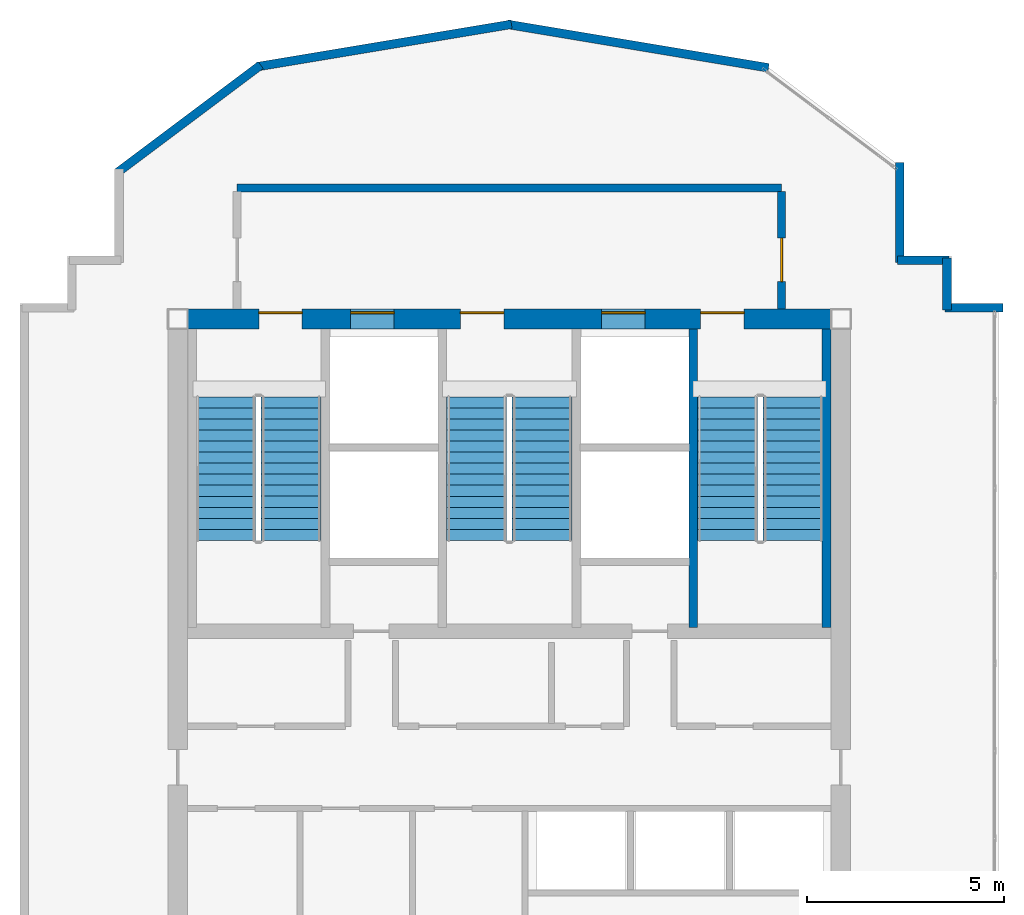
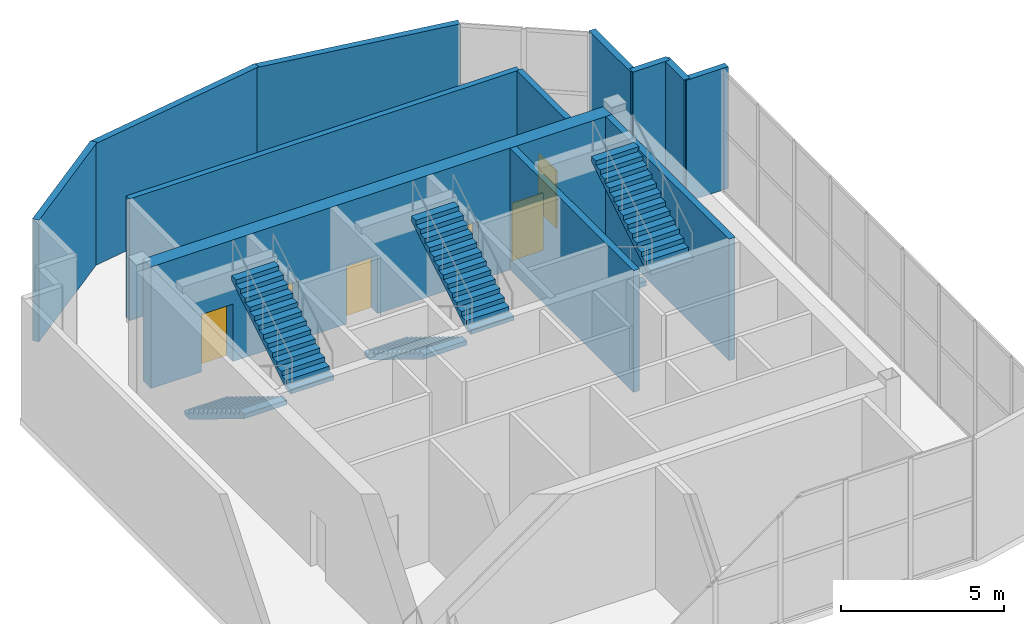
# One storey, part 8 of 9: 12 walls, 6 doors, 6 stair flights, 6 openings, 3 elements without a shape of their own.
"""IFC4 building model written with IfcOpenShell, lengths in metres."""

from ifc_helpers import new_model, si_unit, direction, frame, frame_2d, origin, place, context, subcontext, project, spatial, polyline, rectangle, outline, extrude, material, layer, layer_set, type_object, element, fill, aggregate, save


model = new_model("IFC4")

# Units and contexts
model_context = context("Model", 3, precision=1e-05, world=origin(), true_north=direction((0.0, 1.0)))
body_context = subcontext(model_context, "Body", "Model", "MODEL_VIEW")
ifc_project = project(units=[si_unit("LENGTHUNIT", "METRE"), si_unit("AREAUNIT", "SQUARE_METRE"), si_unit("VOLUMEUNIT", "CUBIC_METRE"), si_unit("PLANEANGLEUNIT", "RADIAN"), si_unit("MASSUNIT", "GRAM", prefix="KILO")], contexts=[model_context])

# Site, building, storey
site_placement = place(None, origin())
site = spatial("IfcSite", under=ifc_project, at=site_placement, CompositionType="ELEMENT")
building_placement = place(site_placement, origin())
building = spatial("IfcBuilding", under=site, at=building_placement, Name="Haolan Belvedere Tower", CompositionType="ELEMENT")
storey_placement = place(building_placement, frame((0.0, 0.0, 328.199951171875)))
storey = spatial("IfcBuildingStorey", under=building, at=storey_placement, Name="L82", CompositionType="ELEMENT", Elevation=328.199951171875)

# Wall, openings, doors
ifc_material_1 = material(Name="Concrete C50/60", Category="concrete")
ifc_layer_1 = layer(ifc_material_1, 0.5, Name="Concrete C50/60")
ifc_layer_set_1 = layer_set([ifc_layer_1], Name="Concrete C50/60")
wall_type_1 = type_object("IfcWallType", Name="WL-CORE-500", PredefinedType="SHEAR", material=ifc_layer_set_1)
wall_1_placement = place(storey_placement, frame((30.260009765625, 43.199951171875, 0.0), z_axis=(0.0, 0.0, 1.0), x_axis=(1.0, 0.0, 0.0)))
wall_1 = element("IfcWall", 1, at=wall_1_placement, inside=storey, type_object=wall_type_1, Name="L82 central core north shear wall", PredefinedType="SHEAR", context=body_context, shape_type="SweptSolid", body=[
    extrude(rectangle(XDim=16.280029296875, YDim=0.5, at=frame_2d((8.14013671875, 0.0))), origin(), (0.0, 0.0, 1.0), 4.550048828125),
])
opening_1_placement = place(wall_1_placement, frame((1.7900390625, 0.0, 0.0)))
opening_1 = element("IfcOpeningElement", 2, at=opening_1_placement, cuts=wall_1, Name="Opening FD-03", PredefinedType="OPENING", context=body_context, shape_type="SweptSolid", body=[
    extrude(rectangle(XDim=1.10009765625, YDim=2.14990234375, at=frame_2d((0.550048828125, 1.074951171875))), frame((0.0, 0.260009765625, 0.0), z_axis=(0.0, -1.0, 0.0), x_axis=(1.0, 0.0, 0.0)), (0.0, 0.0, 1.0), 0.52001953125),
])
opening_2_placement = place(wall_1_placement, frame((6.89990234375, 0.0, 0.0)))
opening_2 = element("IfcOpeningElement", 3, at=opening_2_placement, cuts=wall_1, Name="Opening FD-03", PredefinedType="OPENING", context=body_context, shape_type="SweptSolid", body=[
    extrude(rectangle(XDim=1.10009765625, YDim=2.14990234375, at=frame_2d((0.550048828125, 1.074951171875))), frame((0.0, 0.260009765625, 0.0), z_axis=(0.0, -1.0, 0.0), x_axis=(1.0, 0.0, 0.0)), (0.0, 0.0, 1.0), 0.52001953125),
])
opening_3_placement = place(wall_1_placement, frame((12.989990234375, 0.0, 0.0)))
opening_3 = element("IfcOpeningElement", 4, at=opening_3_placement, cuts=wall_1, Name="Opening FD-03", PredefinedType="OPENING", context=body_context, shape_type="SweptSolid", body=[
    extrude(rectangle(XDim=1.10009765625, YDim=2.14990234375, at=frame_2d((0.550048828125, 1.074951171875))), frame((0.0, 0.260009765625, 0.0), z_axis=(0.0, -1.0, 0.0), x_axis=(1.0, 0.0, 0.0)), (0.0, 0.0, 1.0), 0.52001953125),
])
opening_4_placement = place(wall_1_placement, frame((4.1201171875, 0.0, 0.0)))
opening_4 = element("IfcOpeningElement", 5, at=opening_4_placement, cuts=wall_1, Name="Opening LD-01", PredefinedType="OPENING", context=body_context, shape_type="SweptSolid", body=[
    extrude(rectangle(XDim=1.10009765625, YDim=2.199951171875, at=frame_2d((0.550048828125, 1.10009765625))), frame((0.0, 0.260009765625, 0.0), z_axis=(0.0, -1.0, 0.0), x_axis=(1.0, 0.0, 0.0)), (0.0, 0.0, 1.0), 0.52001953125),
])
opening_5_placement = place(wall_1_placement, frame((10.47998046875, 0.0, 0.0)))
opening_5 = element("IfcOpeningElement", 6, at=opening_5_placement, cuts=wall_1, Name="Opening LD-01", PredefinedType="OPENING", context=body_context, shape_type="SweptSolid", body=[
    extrude(rectangle(XDim=1.10009765625, YDim=2.199951171875, at=frame_2d((0.550048828125, 1.10009765625))), frame((0.0, 0.260009765625, 0.0), z_axis=(0.0, -1.0, 0.0), x_axis=(1.0, 0.0, 0.0)), (0.0, 0.0, 1.0), 0.52001953125),
])
ifc_material_2 = material(Name="Galvanised fire-rated steel", Category="steel")
door_type_1 = type_object("IfcDoorType", Name="DR-FD90-1100", OperationType="NOTDEFINED", PredefinedType="DOOR", material=ifc_material_2)
door_1_placement = place(opening_1_placement, origin())
door_1 = element("IfcDoor", 7, at=door_1_placement, inside=storey, type_object=door_type_1, Name="L82 door CD-L82-ST1", OperationType="SINGLE_SWING_LEFT", OverallHeight=2.14990234375, OverallWidth=1.10009765625, PredefinedType="DOOR", context=body_context, shape_type="SweptSolid", body=[
    extrude(rectangle(XDim=1.10009765625, YDim=2.14990234375, at=frame_2d((0.550048828125, 1.074951171875))), frame((0.0, 0.18505859375, 0.0), z_axis=(0.0, -1.0, 0.0), x_axis=(1.0, 0.0, 0.0)), (0.0, 0.0, 1.0), 0.050048828125),
])
fill(opening_1, door_1)
door_2_placement = place(opening_2_placement, origin())
door_2 = element("IfcDoor", 8, at=door_2_placement, inside=storey, type_object=door_type_1, Name="L82 door CD-L82-ST3", OperationType="SINGLE_SWING_LEFT", OverallHeight=2.14990234375, OverallWidth=1.10009765625, PredefinedType="DOOR", context=body_context, shape_type="SweptSolid", body=[
    extrude(rectangle(XDim=1.10009765625, YDim=2.14990234375, at=frame_2d((0.550048828125, 1.074951171875))), frame((0.0, 0.18505859375, 0.0), z_axis=(0.0, -1.0, 0.0), x_axis=(1.0, 0.0, 0.0)), (0.0, 0.0, 1.0), 0.050048828125),
])
fill(opening_2, door_2)
door_3_placement = place(opening_3_placement, origin())
door_3 = element("IfcDoor", 9, at=door_3_placement, inside=storey, type_object=door_type_1, Name="L82 door CD-L82-ST2", OperationType="SINGLE_SWING_RIGHT", OverallHeight=2.14990234375, OverallWidth=1.10009765625, PredefinedType="DOOR", context=body_context, shape_type="SweptSolid", body=[
    extrude(rectangle(XDim=1.10009765625, YDim=2.14990234375, at=frame_2d((0.550048828125, 1.074951171875))), frame((0.0, 0.18505859375, 0.0), z_axis=(0.0, -1.0, 0.0), x_axis=(1.0, 0.0, 0.0)), (0.0, 0.0, 1.0), 0.050048828125),
])
fill(opening_3, door_3)
ifc_material_3 = material(Name="Brushed champagne stainless steel 316L", Category="steel")
door_type_2 = type_object("IfcDoorType", Name="DR-LIFT-1100", OperationType="SLIDING_TO_LEFT", PredefinedType="DOOR", material=ifc_material_3)
door_4_placement = place(opening_4_placement, origin())
door_4 = element("IfcDoor", 10, at=door_4_placement, inside=storey, type_object=door_type_2, Name="L82 door LD-L82-FF1", OperationType="SLIDING_TO_LEFT", OverallHeight=2.199951171875, OverallWidth=1.10009765625, PredefinedType="DOOR", context=body_context, shape_type="SweptSolid", body=[
    extrude(rectangle(XDim=1.10009765625, YDim=2.199951171875, at=frame_2d((0.550048828125, 1.10009765625))), frame((0.0, 0.18505859375, 0.0), z_axis=(0.0, -1.0, 0.0), x_axis=(1.0, 0.0, 0.0)), (0.0, 0.0, 1.0), 0.050048828125),
])
fill(opening_4, door_4)
door_5_placement = place(opening_5_placement, origin())
door_5 = element("IfcDoor", 11, at=door_5_placement, inside=storey, type_object=door_type_2, Name="L82 door LD-L82-FF2", OperationType="SLIDING_TO_LEFT", OverallHeight=2.199951171875, OverallWidth=1.10009765625, PredefinedType="DOOR", context=body_context, shape_type="SweptSolid", body=[
    extrude(rectangle(XDim=1.10009765625, YDim=2.199951171875, at=frame_2d((0.550048828125, 1.10009765625))), frame((0.0, 0.18505859375, 0.0), z_axis=(0.0, -1.0, 0.0), x_axis=(1.0, 0.0, 0.0)), (0.0, 0.0, 1.0), 0.050048828125),
])
fill(opening_5, door_5)

# Walls
ifc_material_4 = material(Name="Precast concrete C40/50", Category="concrete")
ifc_layer_2 = layer(ifc_material_4, 0.219970703125, Name="Precast concrete C40/50")
ifc_layer_set_2 = layer_set([ifc_layer_2], Name="Precast concrete C40/50")
wall_type_2 = type_object("IfcWallType", Name="WL-EXT-220", PredefinedType="SOLIDWALL", material=ifc_layer_set_2)
wall_2_placement = place(storey_placement, frame((50.9150390625, 43.489990234375, 0.0), z_axis=(0.0, 0.0, 1.0), x_axis=(-1.0, 0.0, 0.0)))
element("IfcWall", 12, at=wall_2_placement, inside=storey, type_object=wall_type_2, Name="L82 pale-metal exterior spandrel wall 5.1", PredefinedType="SOLIDWALL", context=body_context, shape_type="SweptSolid", body=[
    extrude(rectangle(XDim=1.47998046875, YDim=0.219970703125, at=frame_2d((0.739990234375, 0.0))), origin(), (0.0, 0.0, 1.0), 4.550048828125),
])
wall_3_placement = place(storey_placement, frame((49.489990234375, 43.43505859375, 0.0), z_axis=(0.0, 0.0, 1.0), x_axis=(0.0, 1.0, 0.0)))
element("IfcWall", 13, at=wall_3_placement, inside=storey, type_object=wall_type_2, Name="L82 pale-metal exterior spandrel wall 6.1", PredefinedType="SOLIDWALL", context=body_context, shape_type="SweptSolid", body=[
    extrude(rectangle(XDim=1.31005859375, YDim=0.219970703125, at=frame_2d((0.655029296875, 0.0))), origin(), (0.0, 0.0, 1.0), 4.550048828125),
])
wall_4_placement = place(storey_placement, frame((49.544921875, 44.68994140625, 0.0), z_axis=(0.0, 0.0, 1.0), x_axis=(-1.0, 0.0, 0.0)))
element("IfcWall", 14, at=wall_4_placement, inside=storey, type_object=wall_type_2, Name="L82 pale-metal exterior spandrel wall 7.1", PredefinedType="SOLIDWALL", context=body_context, shape_type="SweptSolid", body=[
    extrude(rectangle(XDim=1.309814453125, YDim=0.219970703125, at=frame_2d((0.65478515625, 0.0))), origin(), (0.0, 0.0, 1.0), 4.550048828125),
])
wall_5_placement = place(storey_placement, frame((48.2900390625, 44.635009765625, 0.0), z_axis=(0.0, 0.0, 1.0), x_axis=(0.0, 1.0, 0.0)))
element("IfcWall", 15, at=wall_5_placement, inside=storey, type_object=wall_type_2, Name="L82 pale-metal exterior spandrel wall 8.1", PredefinedType="SOLIDWALL", context=body_context, shape_type="SweptSolid", body=[
    extrude(rectangle(XDim=2.534912109375, YDim=0.219970703125, at=frame_2d((1.267578125, 0.0))), origin(), (0.0, 0.0, 1.0), 4.550048828125),
])
wall_6_placement = place(storey_placement, frame((44.967529296875, 49.56640625, 0.0), z_axis=(0.0, 0.0, 1.0), x_axis=(-0.986396872393, 0.164381294961, 0.0)))
element("IfcWall", 16, at=wall_6_placement, inside=storey, type_object=wall_type_2, Name="L82 pale-metal exterior spandrel wall 10.1", PredefinedType="SOLIDWALL", context=body_context, shape_type="SweptSolid", body=[
    extrude(rectangle(XDim=6.713134765625, YDim=0.219970703125, at=frame_2d((3.3564453125, 0.0))), origin(), (0.0, 0.0, 1.0), 4.550048828125),
])
wall_7_placement = place(storey_placement, frame((38.454345703125, 50.669921875, 0.0), z_axis=(0.0, 0.0, 1.0), x_axis=(-0.986394932223, -0.164392936845, 0.0)))
element("IfcWall", 17, at=wall_7_placement, inside=storey, type_object=wall_type_2, Name="L82 pale-metal exterior spandrel wall 11.1", PredefinedType="SOLIDWALL", context=body_context, shape_type="SweptSolid", body=[
    extrude(rectangle(XDim=6.54345703125, YDim=0.219970703125, at=frame_2d((3.271728515625, 0.0))), origin(), (0.0, 0.0, 1.0), 4.550048828125),
])
wall_8_placement = place(storey_placement, frame((32.098388671875, 49.63623046875, 0.0), z_axis=(0.0, 0.0, 1.0), x_axis=(-0.800012904983, -0.59998279297, 0.0)))
element("IfcWall", 18, at=wall_8_placement, inside=storey, type_object=wall_type_2, Name="L82 pale-metal exterior spandrel wall 12.1", PredefinedType="SOLIDWALL", context=body_context, shape_type="SweptSolid", body=[
    extrude(rectangle(XDim=4.540283203125, YDim=0.219970703125, at=frame_2d((2.27001953125, 0.0))), origin(), (0.0, 0.0, 1.0), 4.550048828125),
])
ifc_material_5 = material(Name="Concrete C40/50", Category="concrete")
ifc_layer_3 = layer(ifc_material_5, 0.199951171875, Name="Concrete C40/50")
ifc_layer_set_3 = layer_set([ifc_layer_3], Name="Concrete C40/50")
wall_type_3 = type_object("IfcWallType", Name="WL-FIRE-200", PredefinedType="SOLIDWALL", material=ifc_layer_set_3)
wall_9_placement = place(storey_placement, frame((31.5, 46.52001953125, 0.0), z_axis=(0.0, 0.0, 1.0), x_axis=(1.0, 0.0, 0.0)))
element("IfcWall", 19, at=wall_9_placement, inside=storey, type_object=wall_type_3, Name="L82 interior partition IW-L82-FFL-N", PredefinedType="SOLIDWALL", context=body_context, shape_type="SweptSolid", body=[
    extrude(rectangle(XDim=13.800048828125, YDim=0.199951171875, at=frame_2d((6.89990234375, 0.0))), origin(), (0.0, 0.0, 1.0), 4.550048828125),
])

# Wall, opening, door
wall_10_placement = place(storey_placement, frame((45.300048828125, 43.449951171875, 0.0), z_axis=(0.0, 0.0, 1.0), x_axis=(0.0, 1.0, 0.0)))
wall_10 = element("IfcWall", 20, at=wall_10_placement, inside=storey, type_object=wall_type_3, Name="L82 interior partition IW-L82-FFL-E", PredefinedType="SOLIDWALL", context=body_context, shape_type="SweptSolid", body=[
    extrude(rectangle(XDim=2.985107421875, YDim=0.199951171875, at=frame_2d((1.49267578125, 0.0))), origin(), (0.0, 0.0, 1.0), 4.550048828125),
])
opening_6_placement = place(wall_10_placement, frame((0.699951171875, 0.0, 0.0)))
opening_6 = element("IfcOpeningElement", 21, at=opening_6_placement, cuts=wall_10, Name="Opening FD-03", PredefinedType="OPENING", context=body_context, shape_type="SweptSolid", body=[
    extrude(rectangle(XDim=1.10009765625, YDim=2.14990234375, at=frame_2d((0.550048828125, 1.074951171875))), frame((0.0, 0.10986328125, 0.0), z_axis=(0.0, -1.0, 0.0), x_axis=(1.0, 0.0, 0.0)), (0.0, 0.0, 1.0), 0.219970703125),
])
door_6_placement = place(opening_6_placement, origin())
door_6 = element("IfcDoor", 22, at=door_6_placement, inside=storey, type_object=door_type_1, Name="L82 door ID-L82-FFL-DE", OperationType="SINGLE_SWING_RIGHT", OverallHeight=2.14990234375, OverallWidth=1.10009765625, PredefinedType="DOOR", context=body_context, shape_type="SweptSolid", body=[
    extrude(rectangle(XDim=1.10009765625, YDim=2.14990234375, at=frame_2d((0.550048828125, 1.074951171875))), frame((0.0, 0.02490234375, 0.0), z_axis=(0.0, -1.0, 0.0), x_axis=(1.0, 0.0, 0.0)), (0.0, 0.0, 1.0), 0.050048828125),
])
fill(opening_6, door_6)

# Walls
ifc_layer_4 = layer(ifc_material_1, 0.219970703125, Name="Concrete C50/60")
ifc_layer_set_4 = layer_set([ifc_layer_4], Name="Concrete C50/60")
wall_type_4 = type_object("IfcWallType", Name="WL-STAIR-220", PredefinedType="SHEAR", material=ifc_layer_set_4)
for number, where, z_axis, x_axis, name in (
    (23, (43.06005859375, 35.389892578125, 0.0), (0.0, 0.0, 1.0), (0.0, 1.0, 0.0), "L82 structural stair core wall ST2W"),
    (24, (46.43798828125, 35.389892578125, 0.0), (0.0, 0.0, 1.0), (0.0, 1.0, 0.0), "L82 structural stair core wall ST2E"),
):
    element("IfcWall", number, at=place(storey_placement, frame(where, z_axis=z_axis, x_axis=x_axis)), inside=storey, type_object=wall_type_4, Name=name, PredefinedType="SHEAR", context=body_context, shape_type="SweptSolid", body=[
        extrude(rectangle(XDim=7.56005859375, YDim=0.219970703125, at=frame_2d((3.780029296875, 0.0))), origin(), (0.0, 0.0, 1.0), 4.550048828125),
    ])

# Stair, stair flights
stair_type = type_object("IfcStairType", Name="STR-DL-28R-171", PredefinedType="HALF_TURN_STAIR", material=ifc_material_5)
stair_1_placement = place(storey_placement, origin())
stair_1 = element("IfcStair", 25, at=stair_1_placement, inside=storey, type_object=stair_type, Name="L82 Smokeproof Core Exit Stair ST1", PredefinedType="HALF_TURN_STAIR")
stair_flight_type = type_object("IfcStairFlightType", Name="SFL-DL-14R-171", PredefinedType="STRAIGHT", material=ifc_material_5)
stair_flight_1_placement = place(storey_placement, frame((31.2099609375, 41.22998046875, 0.0), z_axis=(0.0, 0.0, 1.0), x_axis=(0.0, -1.0, 0.0)))
stair_flight_1 = element("IfcStairFlight", 26, at=stair_flight_1_placement, type_object=stair_flight_type, Name="ST1 flight 1", NumberOfRisers=14, NumberOfTreads=13, PredefinedType="STRAIGHT", RiserHeight=0.171428571, TreadLength=0.28, context=body_context, shape_type="SweptSolid", body=[
    extrude(outline(polyline([(0.0, 0.0), (0.0, 0.17138671875), (0.280029296875, 0.17138671875), (0.280029296875, 0.3427734375), (0.56005859375, 0.3427734375), (0.56005859375, 0.514404296875), (0.840087890625, 0.514404296875), (0.840087890625, 0.685791015625), (1.1201171875, 0.685791015625), (1.1201171875, 0.857177734375), (1.39990234375, 0.857177734375), (1.39990234375, 1.028564453125), (1.679931640625, 1.028564453125), (1.679931640625, 1.199951171875), (1.9599609375, 1.199951171875), (1.9599609375, 1.371337890625), (2.239990234375, 1.371337890625), (2.239990234375, 1.54296875), (2.52001953125, 1.54296875), (2.52001953125, 1.71435546875), (2.800048828125, 1.71435546875), (2.800048828125, 1.8857421875), (3.080078125, 1.8857421875), (3.080078125, 2.05712890625), (3.360107421875, 2.05712890625), (3.360107421875, 2.228515625), (3.639892578125, 2.228515625), (3.639892578125, 2.39990234375), (3.639892578125, 2.052734375), (0.287109375, 0.0), (0.0, 0.0)])), frame((0.0, 0.760009765625, 0.0), z_axis=(0.0, -1.0, 0.0), x_axis=(1.0, 0.0, 0.0)), (0.0, 0.0, 1.0), 1.52001953125),
])
stair_flight_2_placement = place(storey_placement, frame((32.8701171875, 37.590087890625, 2.400146484375), z_axis=(0.0, 0.0, 1.0), x_axis=(0.0, 1.0, 0.0)))
stair_flight_2 = element("IfcStairFlight", 27, at=stair_flight_2_placement, type_object=stair_flight_type, Name="ST1 flight 2", NumberOfRisers=14, NumberOfTreads=13, PredefinedType="STRAIGHT", RiserHeight=0.171428571, TreadLength=0.28, context=body_context, shape_type="SweptSolid", body=[
    extrude(outline(polyline([(0.0, 0.0), (0.0, 0.17138671875), (0.280029296875, 0.17138671875), (0.280029296875, 0.3427734375), (0.56005859375, 0.3427734375), (0.56005859375, 0.514404296875), (0.840087890625, 0.514404296875), (0.840087890625, 0.685791015625), (1.1201171875, 0.685791015625), (1.1201171875, 0.857177734375), (1.39990234375, 0.857177734375), (1.39990234375, 1.028564453125), (1.679931640625, 1.028564453125), (1.679931640625, 1.199951171875), (1.9599609375, 1.199951171875), (1.9599609375, 1.371337890625), (2.239990234375, 1.371337890625), (2.239990234375, 1.54296875), (2.52001953125, 1.54296875), (2.52001953125, 1.71435546875), (2.800048828125, 1.71435546875), (2.800048828125, 1.8857421875), (3.080078125, 1.8857421875), (3.080078125, 2.05712890625), (3.360107421875, 2.05712890625), (3.360107421875, 2.228515625), (3.639892578125, 2.228515625), (3.639892578125, 2.39990234375), (3.639892578125, 2.052734375), (0.287109375, 0.0), (0.0, 0.0)])), frame((0.0, 0.760009765625, 0.0), z_axis=(0.0, -1.0, 0.0), x_axis=(1.0, 0.0, 0.0)), (0.0, 0.0, 1.0), 1.52001953125),
])
aggregate(stair_1, [stair_flight_1, stair_flight_2])

stair_2_placement = place(storey_placement, origin())
stair_2 = element("IfcStair", 28, at=stair_2_placement, inside=storey, type_object=stair_type, Name="L82 Smokeproof Core Exit Stair ST3", PredefinedType="HALF_TURN_STAIR")
stair_flight_3_placement = place(storey_placement, frame((37.570068359375, 41.22998046875, 0.0), z_axis=(0.0, 0.0, 1.0), x_axis=(0.0, -1.0, 0.0)))
stair_flight_3 = element("IfcStairFlight", 29, at=stair_flight_3_placement, type_object=stair_flight_type, Name="ST3 flight 1", NumberOfRisers=14, NumberOfTreads=13, PredefinedType="STRAIGHT", RiserHeight=0.171428571, TreadLength=0.28, context=body_context, shape_type="SweptSolid", body=[
    extrude(outline(polyline([(0.0, 0.0), (0.0, 0.17138671875), (0.280029296875, 0.17138671875), (0.280029296875, 0.3427734375), (0.56005859375, 0.3427734375), (0.56005859375, 0.514404296875), (0.840087890625, 0.514404296875), (0.840087890625, 0.685791015625), (1.1201171875, 0.685791015625), (1.1201171875, 0.857177734375), (1.39990234375, 0.857177734375), (1.39990234375, 1.028564453125), (1.679931640625, 1.028564453125), (1.679931640625, 1.199951171875), (1.9599609375, 1.199951171875), (1.9599609375, 1.371337890625), (2.239990234375, 1.371337890625), (2.239990234375, 1.54296875), (2.52001953125, 1.54296875), (2.52001953125, 1.71435546875), (2.800048828125, 1.71435546875), (2.800048828125, 1.8857421875), (3.080078125, 1.8857421875), (3.080078125, 2.05712890625), (3.360107421875, 2.05712890625), (3.360107421875, 2.228515625), (3.639892578125, 2.228515625), (3.639892578125, 2.39990234375), (3.639892578125, 2.052734375), (0.287109375, 0.0), (0.0, 0.0)])), frame((0.0, 0.760009765625, 0.0), z_axis=(0.0, -1.0, 0.0), x_axis=(1.0, 0.0, 0.0)), (0.0, 0.0, 1.0), 1.52001953125),
])
stair_flight_4_placement = place(storey_placement, frame((39.22998046875, 37.590087890625, 2.400146484375), z_axis=(0.0, 0.0, 1.0), x_axis=(0.0, 1.0, 0.0)))
stair_flight_4 = element("IfcStairFlight", 30, at=stair_flight_4_placement, type_object=stair_flight_type, Name="ST3 flight 2", NumberOfRisers=14, NumberOfTreads=13, PredefinedType="STRAIGHT", RiserHeight=0.171428571, TreadLength=0.28, context=body_context, shape_type="SweptSolid", body=[
    extrude(outline(polyline([(0.0, 0.0), (0.0, 0.17138671875), (0.280029296875, 0.17138671875), (0.280029296875, 0.3427734375), (0.56005859375, 0.3427734375), (0.56005859375, 0.514404296875), (0.840087890625, 0.514404296875), (0.840087890625, 0.685791015625), (1.1201171875, 0.685791015625), (1.1201171875, 0.857177734375), (1.39990234375, 0.857177734375), (1.39990234375, 1.028564453125), (1.679931640625, 1.028564453125), (1.679931640625, 1.199951171875), (1.9599609375, 1.199951171875), (1.9599609375, 1.371337890625), (2.239990234375, 1.371337890625), (2.239990234375, 1.54296875), (2.52001953125, 1.54296875), (2.52001953125, 1.71435546875), (2.800048828125, 1.71435546875), (2.800048828125, 1.8857421875), (3.080078125, 1.8857421875), (3.080078125, 2.05712890625), (3.360107421875, 2.05712890625), (3.360107421875, 2.228515625), (3.639892578125, 2.228515625), (3.639892578125, 2.39990234375), (3.639892578125, 2.052734375), (0.287109375, 0.0), (0.0, 0.0)])), frame((0.0, 0.760009765625, 0.0), z_axis=(0.0, -1.0, 0.0), x_axis=(1.0, 0.0, 0.0)), (0.0, 0.0, 1.0), 1.52001953125),
])
aggregate(stair_2, [stair_flight_3, stair_flight_4])

stair_3_placement = place(storey_placement, origin())
stair_3 = element("IfcStair", 31, at=stair_3_placement, inside=storey, type_object=stair_type, Name="L82 Smokeproof Core Exit Stair ST2", PredefinedType="HALF_TURN_STAIR")
stair_flight_5_placement = place(storey_placement, frame((43.929931640625, 41.22998046875, 0.0), z_axis=(0.0, 0.0, 1.0), x_axis=(0.0, -1.0, 0.0)))
stair_flight_5 = element("IfcStairFlight", 32, at=stair_flight_5_placement, type_object=stair_flight_type, Name="ST2 flight 1", NumberOfRisers=14, NumberOfTreads=13, PredefinedType="STRAIGHT", RiserHeight=0.171428571, TreadLength=0.28, context=body_context, shape_type="SweptSolid", body=[
    extrude(outline(polyline([(0.0, 0.0), (0.0, 0.17138671875), (0.280029296875, 0.17138671875), (0.280029296875, 0.3427734375), (0.56005859375, 0.3427734375), (0.56005859375, 0.514404296875), (0.840087890625, 0.514404296875), (0.840087890625, 0.685791015625), (1.1201171875, 0.685791015625), (1.1201171875, 0.857177734375), (1.39990234375, 0.857177734375), (1.39990234375, 1.028564453125), (1.679931640625, 1.028564453125), (1.679931640625, 1.199951171875), (1.9599609375, 1.199951171875), (1.9599609375, 1.371337890625), (2.239990234375, 1.371337890625), (2.239990234375, 1.54296875), (2.52001953125, 1.54296875), (2.52001953125, 1.71435546875), (2.800048828125, 1.71435546875), (2.800048828125, 1.8857421875), (3.080078125, 1.8857421875), (3.080078125, 2.05712890625), (3.360107421875, 2.05712890625), (3.360107421875, 2.228515625), (3.639892578125, 2.228515625), (3.639892578125, 2.39990234375), (3.639892578125, 2.052734375), (0.287109375, 0.0), (0.0, 0.0)])), frame((0.0, 0.760009765625, 0.0), z_axis=(0.0, -1.0, 0.0), x_axis=(1.0, 0.0, 0.0)), (0.0, 0.0, 1.0), 1.52001953125),
])
stair_flight_6_placement = place(storey_placement, frame((45.590087890625, 37.590087890625, 2.400146484375), z_axis=(0.0, 0.0, 1.0), x_axis=(0.0, 1.0, 0.0)))
stair_flight_6 = element("IfcStairFlight", 33, at=stair_flight_6_placement, type_object=stair_flight_type, Name="ST2 flight 2", NumberOfRisers=14, NumberOfTreads=13, PredefinedType="STRAIGHT", RiserHeight=0.171428571, TreadLength=0.28, context=body_context, shape_type="SweptSolid", body=[
    extrude(outline(polyline([(0.0, 0.0), (0.0, 0.17138671875), (0.280029296875, 0.17138671875), (0.280029296875, 0.3427734375), (0.56005859375, 0.3427734375), (0.56005859375, 0.514404296875), (0.840087890625, 0.514404296875), (0.840087890625, 0.685791015625), (1.1201171875, 0.685791015625), (1.1201171875, 0.857177734375), (1.39990234375, 0.857177734375), (1.39990234375, 1.028564453125), (1.679931640625, 1.028564453125), (1.679931640625, 1.199951171875), (1.9599609375, 1.199951171875), (1.9599609375, 1.371337890625), (2.239990234375, 1.371337890625), (2.239990234375, 1.54296875), (2.52001953125, 1.54296875), (2.52001953125, 1.71435546875), (2.800048828125, 1.71435546875), (2.800048828125, 1.8857421875), (3.080078125, 1.8857421875), (3.080078125, 2.05712890625), (3.360107421875, 2.05712890625), (3.360107421875, 2.228515625), (3.639892578125, 2.228515625), (3.639892578125, 2.39990234375), (3.639892578125, 2.052734375), (0.287109375, 0.0), (0.0, 0.0)])), frame((0.0, 0.760009765625, 0.0), z_axis=(0.0, -1.0, 0.0), x_axis=(1.0, 0.0, 0.0)), (0.0, 0.0, 1.0), 1.52001953125),
])
aggregate(stair_3, [stair_flight_5, stair_flight_6])

save(model, "model.ifc")
